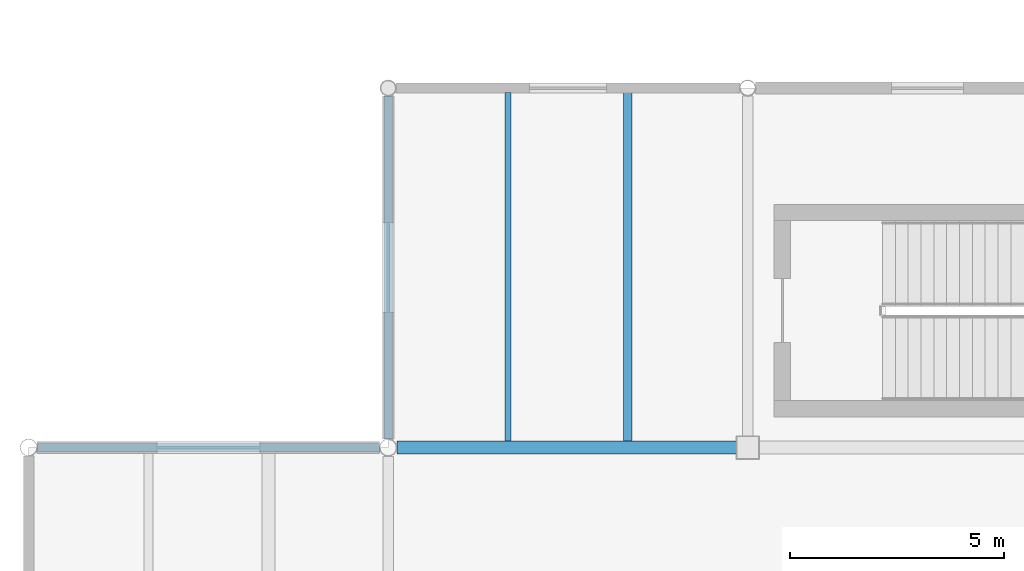
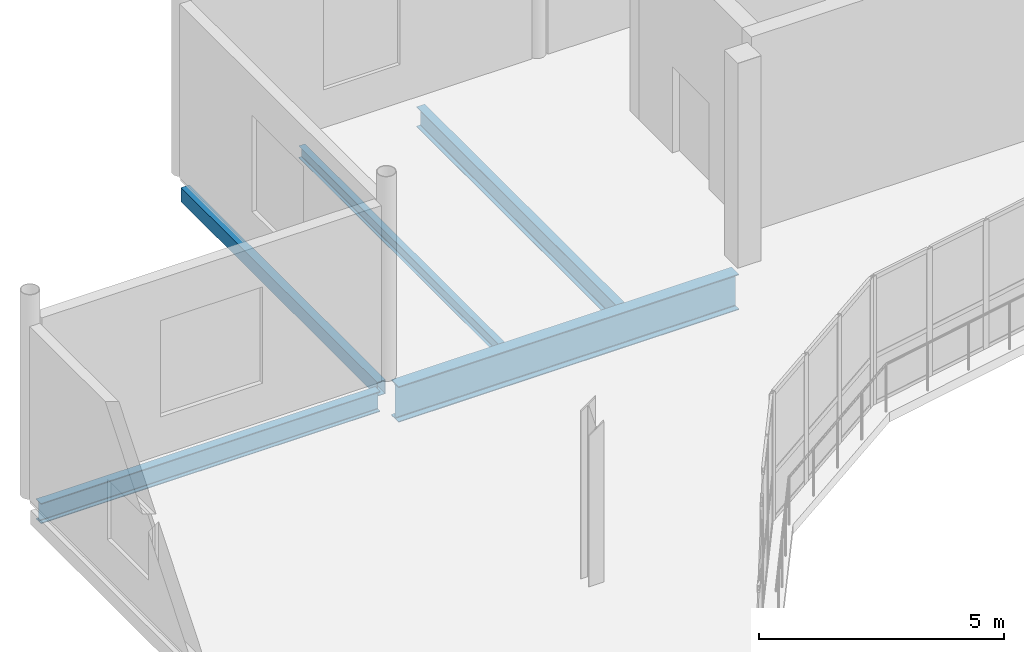
# One storey, part 27 of 103: 5 beams.
"""IFC4 building model written with IfcOpenShell, lengths in metres."""

import ifcopenshell
import ifcopenshell.guid

model = None  # the IFC model being written
_history = None  # IfcOwnerHistory: only IFC2X3 demands one
_inside = {}  # id of a spatial element -> (the spatial element, [elements in it])
_under = {}  # id of a project, library or spatial element -> (it, [spatial elements below it])
_declared = {}  # id of a project -> (the project, [libraries it declares])
_typed = {}  # id of a type object -> (the type object, [elements of that type])
_made_of = {}  # id of a material, layer set ... -> (it, [elements and type objects made of it])


def new_model(schema):
    """Start an empty IFC model of exactly this schema.

    Asked for "IFC4X3", IfcOpenShell would pick the latest addendum, in which some entities
    have other attributes; the version numbers below select the first issue.
    IFC2X3 requires an IfcOwnerHistory on every rooted entity: one is made here for all.
    """
    global model, _history
    if schema == "IFC4X3":
        model = ifcopenshell.file(schema_version=(4, 3, 0, 0))
    else:
        model = ifcopenshell.file(schema=schema)
    _inside.clear()
    _under.clear()
    _declared.clear()
    _typed.clear()
    _made_of.clear()
    _history = None
    if model.schema == "IFC2X3":
        org = make("IfcOrganization", Name="unknown")
        user = make(
            "IfcPersonAndOrganization",
            ThePerson=make("IfcPerson", FamilyName="unknown"),
            TheOrganization=org,
        )
        app = make(
            "IfcApplication",
            ApplicationDeveloper=org,
            Version="unknown",
            ApplicationFullName="unknown",
            ApplicationIdentifier="unknown",
        )
        _history = make(
            "IfcOwnerHistory",
            OwningUser=user,
            OwningApplication=app,
            ChangeAction="ADDED",
            CreationDate=0,
        )
    return model


def make(cls, **values):
    """One entity of the class cls with the attributes given. An attribute that is None is left unset."""
    return model.create_entity(
        cls, **{name: value for name, value in values.items() if value is not None}
    )


def rooted(cls, **values):
    """An entity with a GlobalId (a new one), such as an element, a storey or a relation."""
    return make(cls, GlobalId=ifcopenshell.guid.new(), OwnerHistory=_history, **values)


def si_unit(unit_type, name, prefix=None):
    """IfcSIUnit, for example si_unit("LENGTHUNIT", "METRE", prefix="MILLI")."""
    return make("IfcSIUnit", UnitType=unit_type, Prefix=prefix, Name=name)


def assignment(units):
    """IfcUnitAssignment: the units of a project."""
    return None if units is None else make("IfcUnitAssignment", Units=units)


def point(xyz):
    """IfcCartesianPoint."""
    return None if xyz is None else make("IfcCartesianPoint", Coordinates=xyz)


def direction(xyz):
    """IfcDirection."""
    return None if xyz is None else make("IfcDirection", DirectionRatios=xyz)


def frame(location, z_axis=None, x_axis=None):
    """IfcAxis2Placement3D, a coordinate frame: its origin and axes. An axis left out is left unset."""
    return make(
        "IfcAxis2Placement3D",
        Location=point(location),
        Axis=direction(z_axis),
        RefDirection=direction(x_axis),
    )


def frame_2d(location, x_axis=None):
    """IfcAxis2Placement2D, a coordinate frame in the plane: its origin and x axis."""
    return make(
        "IfcAxis2Placement2D", Location=point(location), RefDirection=direction(x_axis)
    )


def origin():
    """The frame at (0, 0, 0) with its axes left unset."""
    return frame((0.0, 0.0, 0.0))


def origin_2d():
    """The frame at (0, 0) in the plane with its x axis left unset."""
    return frame_2d((0.0, 0.0))


def place(relative_to, where):
    """IfcLocalPlacement: puts the frame where relative to a parent placement (None: the world)."""
    return make(
        "IfcLocalPlacement", PlacementRelTo=relative_to, RelativePlacement=where
    )


def context(
    kind, dimensions, precision=None, world=None, true_north=None, identifier=None
):
    """IfcGeometricRepresentationContext, for example the 3D "Model" context."""
    return make(
        "IfcGeometricRepresentationContext",
        ContextIdentifier=identifier,
        ContextType=kind,
        CoordinateSpaceDimension=dimensions,
        Precision=precision,
        WorldCoordinateSystem=world,
        TrueNorth=true_north,
    )


def subcontext(parent, identifier, kind, view, scale=None):
    """IfcGeometricRepresentationSubContext, for example "Body" below "Model"."""
    return make(
        "IfcGeometricRepresentationSubContext",
        ContextIdentifier=identifier,
        ContextType=kind,
        ParentContext=parent,
        TargetScale=scale,
        TargetView=view,
    )


def project(units=None, contexts=None):
    """IfcProject with its units and contexts."""
    return rooted(
        "IfcProject",
        Name="project",
        RepresentationContexts=contexts,
        UnitsInContext=assignment(units),
    )


def spatial(cls, under=None, at=None, **own):
    """A site, building, storey or space (cls), placed at a placement, below another one or the project."""
    s = rooted(cls, ObjectPlacement=at, **own)
    if under is not None:
        _under.setdefault(under.id(), (under, []))[1].append(s)
    return s


def profile(cls, at=None, kind="AREA", **sizes):
    """A parametric profile (cls). Its sizes go by their IFC names, for example OverallWidth=200.0."""
    return make(cls, ProfileType=kind, Position=at, **sizes)


def hollow_rectangle(**sizes):
    """IfcRectangleHollowProfileDef."""
    return profile("IfcRectangleHollowProfileDef", **sizes)


def i_section(**sizes):
    """IfcIShapeProfileDef."""
    return profile("IfcIShapeProfileDef", **sizes)


def extrude(swept, where, along, depth):
    """IfcExtrudedAreaSolid: the profile swept, set in the frame where, extruded along a direction by depth."""
    return make(
        "IfcExtrudedAreaSolid",
        SweptArea=swept,
        Position=where,
        ExtrudedDirection=direction(along),
        Depth=depth,
    )


def shape(context_of_items, identifier, shape_type, items):
    """IfcShapeRepresentation: the items that make up one representation, for example the "Body"."""
    return make(
        "IfcShapeRepresentation",
        ContextOfItems=context_of_items,
        RepresentationIdentifier=identifier,
        RepresentationType=shape_type,
        Items=items,
    )


def material(Name=None, Category=None):
    """IfcMaterial."""
    return make("IfcMaterial", Name=Name, Category=Category)


def material_profile(
    of_material, cross_section, Name=None, Category=None, Priority=None
):
    """IfcMaterialProfile: a cross section and its material."""
    return make(
        "IfcMaterialProfile",
        Name=Name,
        Material=of_material,
        Profile=cross_section,
        Priority=Priority,
        Category=Category,
    )


def profile_set(profiles, Name=None, composite=None):
    """IfcMaterialProfileSet."""
    return make(
        "IfcMaterialProfileSet",
        Name=Name,
        MaterialProfiles=profiles,
        CompositeProfile=composite,
    )


def made_of(thing, what):
    """Note that an element or type object is made of a material, layer set ...; save() writes the relation."""
    if what is not None:
        _made_of.setdefault(what.id(), (what, []))[1].append(thing)
    return thing


def type_object(cls, material=None, **own):
    """A type object (cls), such as IfcWallType, which elements share."""
    return made_of(rooted(cls, **own), material)


def element(
    cls,
    number,
    at=None,
    inside=None,
    cuts=None,
    type_object=None,
    material=None,
    context=None,
    identifier="Body",
    shape_type=None,
    held_by="IfcProductDefinitionShape",
    body=None,
    shapes=None,
    **own,
):
    """One element of the class cls, such as IfcWall. Its Tag is "e" and its number.

    at: its placement. inside: the storey or other place that contains it. cuts: it is an
    opening in that element (IfcRelVoidsElement). A single representation is given by context,
    identifier, shape_type and body (its items); several are given by shapes. held_by: the class
    of the entity that holds the representations. save() writes the other relations.
    """
    e = rooted(cls, Tag="e%d" % number, ObjectPlacement=at, **own)
    if body is not None:
        shapes = [shape(context, identifier, shape_type, body)]
    if shapes is not None:
        e.Representation = make(held_by, Representations=shapes)
    if inside is not None:
        _inside.setdefault(inside.id(), (inside, []))[1].append(e)
    if cuts is not None:
        rooted(
            "IfcRelVoidsElement", RelatingBuildingElement=cuts, RelatedOpeningElement=e
        )
    if type_object is not None:
        _typed.setdefault(type_object.id(), (type_object, []))[1].append(e)
    return made_of(e, material)


def aggregate(whole, parts):
    """IfcRelAggregates: a whole, such as a stair, and the parts it consists of."""
    return rooted("IfcRelAggregates", RelatingObject=whole, RelatedObjects=parts)


def save(model, path):
    """Write the relations noted so far, then the file.

    IfcRelAggregates (storeys below a building ...), IfcRelContainedInSpatialStructure (elements
    in a storey), IfcRelDefinesByType, IfcRelAssociatesMaterial and IfcRelDeclares: one each for
    every whole, place, type object, material and project.
    """
    for whole, parts in _under.values():
        aggregate(whole, parts)
    for where, things in _inside.values():
        rooted(
            "IfcRelContainedInSpatialStructure",
            RelatedElements=things,
            RelatingStructure=where,
        )
    for kind, things in _typed.values():
        rooted("IfcRelDefinesByType", RelatedObjects=things, RelatingType=kind)
    for what, things in _made_of.values():
        rooted("IfcRelAssociatesMaterial", RelatedObjects=things, RelatingMaterial=what)
    for by, libraries in _declared.values():
        rooted("IfcRelDeclares", RelatingContext=by, RelatedDefinitions=libraries)
    model.write(path)


model = new_model("IFC4")

# Units and contexts
model_context = context("Model", 3, precision=1e-05, world=origin(), true_north=direction((0.0, 1.0)))
body_context = subcontext(model_context, "Body", "Model", "MODEL_VIEW")
ifc_project = project(units=[si_unit("LENGTHUNIT", "METRE"), si_unit("AREAUNIT", "SQUARE_METRE"), si_unit("VOLUMEUNIT", "CUBIC_METRE"), si_unit("PLANEANGLEUNIT", "RADIAN"), si_unit("MASSUNIT", "GRAM", prefix="KILO"), si_unit("THERMODYNAMICTEMPERATUREUNIT", "KELVIN")], contexts=[model_context])

# Site, building, storey
site_placement = place(None, origin())
site = spatial("IfcSite", under=ifc_project, at=site_placement, CompositionType="ELEMENT")
building_placement = place(site_placement, origin())
building = spatial("IfcBuilding", under=site, at=building_placement, Name="Lustrewick Department Store", CompositionType="ELEMENT")
storey_placement = place(building_placement, frame((0.0, 0.0, 16.5)))
storey = spatial("IfcBuildingStorey", under=building, at=storey_placement, Name="L04", CompositionType="ELEMENT", Elevation=16.5)

# Beams
ifc_material_1 = material(Name="Structural steel Q355B", Category="steel")
ifc_material_profile_1 = material_profile(ifc_material_1, i_section(OverallWidth=0.198974609375, OverallDepth=0.49609375, WebThickness=0.009033203125, FlangeThickness=0.013916015625, FilletRadius=0.01611328125, at=origin_2d()), Name="HN 496x199x9x14")
ifc_profile_set_1 = profile_set([ifc_material_profile_1], Name="Structural steel Q355B")
beam_type_1 = type_object("IfcBeamType", Name="B02", PredefinedType="JOIST", material=ifc_profile_set_1)
beam_1_placement = place(storey_placement, frame((22.39990234375, 84.1494140625, -0.5029296875), z_axis=(0.0, 1.0, 0.0), x_axis=(-1.0, 0.0, 0.0)))
element("IfcBeam", 1, at=beam_1_placement, inside=storey, type_object=beam_type_1, Name="L04 V1 Secondary Joist B02", PredefinedType="JOIST", context=body_context, shape_type="SweptSolid", body=[
    extrude(i_section(OverallWidth=0.198974609375, OverallDepth=0.49609375, WebThickness=0.009033203125, FlangeThickness=0.013916015625, FilletRadius=0.01611328125, at=origin_2d()), origin(), (0.0, 0.0, 1.0), 8.150634765625),
])
ifc_material_profile_2 = material_profile(ifc_material_1, i_section(OverallWidth=0.14892578125, OverallDepth=0.298095703125, WebThickness=0.005615234375, FlangeThickness=0.008056640625, FilletRadius=0.011962890625, at=origin_2d()), Name="HN 298x149x5.5x8")
ifc_profile_set_2 = profile_set([ifc_material_profile_2], Name="Structural steel Q355B")
beam_type_2 = type_object("IfcBeamType", Name="B12", PredefinedType="JOIST", material=ifc_profile_set_2)
beam_2_placement = place(storey_placement, frame((19.60009765625, 84.1494140625, -0.404052734375), z_axis=(0.0, 1.0, 0.0), x_axis=(-1.0, 0.0, 0.0)))
element("IfcBeam", 2, at=beam_2_placement, inside=storey, type_object=beam_type_2, Name="L04 V1 Secondary Joist B12", PredefinedType="JOIST", context=body_context, shape_type="SweptSolid", body=[
    extrude(i_section(OverallWidth=0.14892578125, OverallDepth=0.298095703125, WebThickness=0.005615234375, FlangeThickness=0.008056640625, FilletRadius=0.011962890625, at=origin_2d()), origin(), (0.0, 0.0, 1.0), 8.150634765625),
])
ifc_material_2 = material(Name="Structural steel Q355C", Category="steel")
ifc_material_profile_3 = material_profile(ifc_material_2, i_section(OverallWidth=0.299072265625, OverallDepth=0.889892578125, WebThickness=0.014892578125, FlangeThickness=0.02294921875, FilletRadius=0.02392578125, at=origin_2d()), Name="HN 890x299x15x23")
ifc_profile_set_3 = profile_set([ifc_material_profile_3], Name="Structural steel Q355C")
beam_type_3 = type_object("IfcBeamType", Name="G03", PredefinedType="BEAM", material=ifc_profile_set_3)
beam_3_placement = place(storey_placement, frame((17.0029296875, 84.0, -0.699951171875), z_axis=(1.0, 0.0, 0.0), x_axis=(0.0, 1.0, 0.0)))
element("IfcBeam", 3, at=beam_3_placement, inside=storey, type_object=beam_type_3, Name="L04 V1 Girder G03", PredefinedType="BEAM", context=body_context, shape_type="SweptSolid", body=[
    extrude(i_section(OverallWidth=0.299072265625, OverallDepth=0.889892578125, WebThickness=0.014892578125, FlangeThickness=0.02294921875, FilletRadius=0.02392578125, at=origin_2d()), origin(), (0.0, 0.0, 1.0), 8.02197265625),
])
ifc_material_profile_4 = material_profile(ifc_material_1, i_section(OverallWidth=0.200927734375, OverallDepth=0.506103515625, WebThickness=0.010986328125, FlangeThickness=0.01904296875, FilletRadius=0.01611328125, at=origin_2d()), Name="HN 506x201x11x19")
ifc_profile_set_4 = profile_set([ifc_material_profile_4], Name="Structural steel Q355B")
beam_type_4 = type_object("IfcBeamType", Name="SP01", PredefinedType="SPANDREL", material=ifc_profile_set_4)
beam_4_placement = place(storey_placement, frame((8.60302734375, 84.0, -0.508056640625), z_axis=(1.0, 0.0, 0.0), x_axis=(0.0, 1.0, 0.0)))
element("IfcBeam", 4, at=beam_4_placement, inside=storey, type_object=beam_type_4, Name="L04 V1 Girder SP01", PredefinedType="SPANDREL", context=body_context, shape_type="SweptSolid", body=[
    extrude(i_section(OverallWidth=0.200927734375, OverallDepth=0.506103515625, WebThickness=0.010986328125, FlangeThickness=0.01904296875, FilletRadius=0.01611328125, at=origin_2d()), origin(), (0.0, 0.0, 1.0), 7.993896484375),
])
ifc_material_profile_5 = material_profile(ifc_material_2, hollow_rectangle(XDim=0.199951171875, YDim=0.35009765625, WallThickness=0.011962890625, at=origin_2d()), Name="RHS 350x200x12")
ifc_profile_set_5 = profile_set([ifc_material_profile_5], Name="Structural steel Q355C")
beam_type_5 = type_object("IfcBeamType", Name="SP03", PredefinedType="SPANDREL", material=ifc_profile_set_5)
beam_5_placement = place(storey_placement, frame((16.800048828125, 84.202880859375, -0.429931640625), z_axis=(0.0, 1.0, 0.0), x_axis=(-1.0, 0.0, 0.0)))
element("IfcBeam", 5, at=beam_5_placement, inside=storey, type_object=beam_type_5, Name="L04 V1 Girder SP03", PredefinedType="SPANDREL", context=body_context, shape_type="SweptSolid", body=[
    extrude(hollow_rectangle(XDim=0.199951171875, YDim=0.35009765625, WallThickness=0.011962890625, at=origin_2d()), origin(), (0.0, 0.0, 1.0), 8.008544921875),
])

save(model, "model.ifc")
